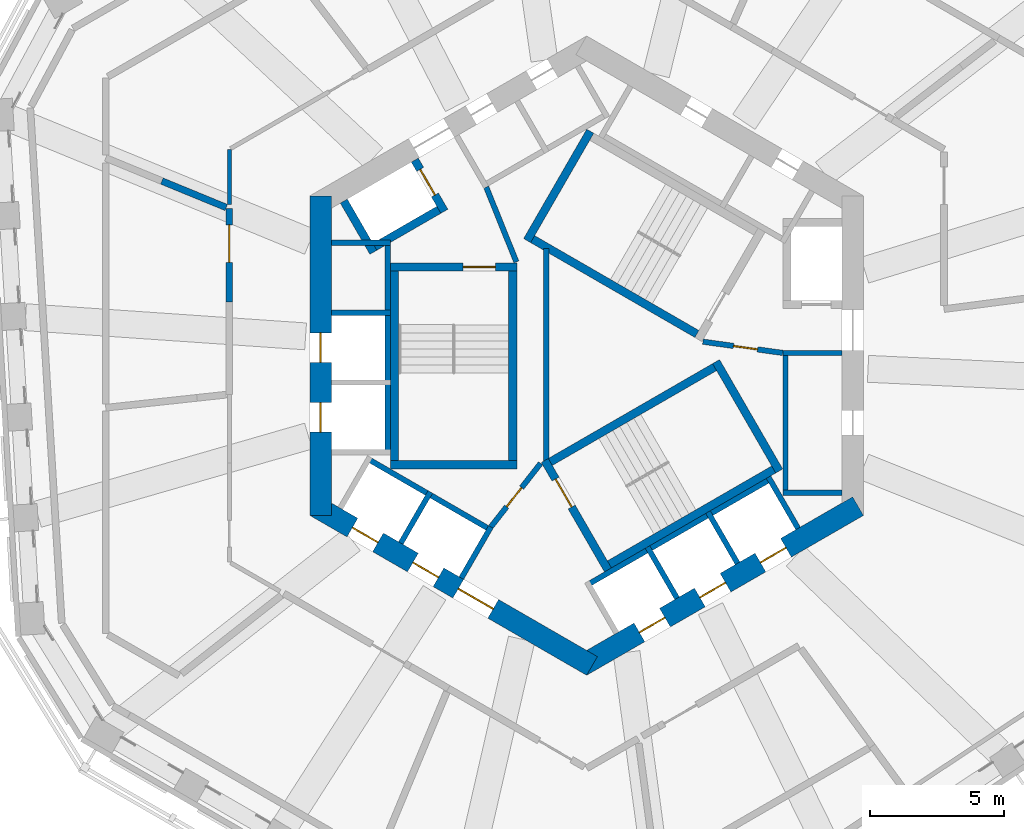
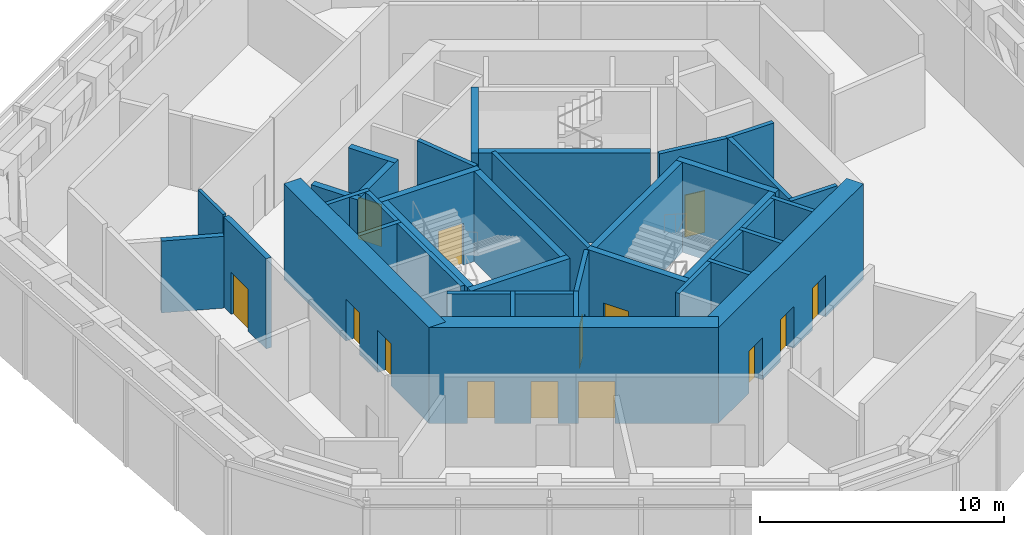
# One storey, part 6 of 15: 36 walls, 14 doors, 14 openings.
"""IFC4 building model written with IfcOpenShell, lengths in metres."""

from ifc_helpers import new_model, si_unit, direction, frame, frame_2d, origin, place, context, subcontext, project, spatial, rectangle, extrude, material, layer, layer_set, type_object, element, fill, save


model = new_model("IFC4")

# Units and contexts
model_context = context("Model", 3, precision=1e-05, world=origin(), true_north=direction((0.0, 1.0)))
body_context = subcontext(model_context, "Body", "Model", "MODEL_VIEW")
ifc_project = project(units=[si_unit("LENGTHUNIT", "METRE"), si_unit("AREAUNIT", "SQUARE_METRE"), si_unit("VOLUMEUNIT", "CUBIC_METRE"), si_unit("PLANEANGLEUNIT", "RADIAN"), si_unit("MASSUNIT", "GRAM", prefix="KILO")], contexts=[model_context])

# Site, building, storey
site_placement = place(None, origin())
site = spatial("IfcSite", under=ifc_project, at=site_placement, CompositionType="ELEMENT")
building_placement = place(site_placement, origin())
building = spatial("IfcBuilding", under=site, at=building_placement, Name="Vanh Sen Convention Tower", CompositionType="ELEMENT")
storey_placement = place(building_placement, frame((0.0, 0.0, 205.800048828125)))
storey = spatial("IfcBuildingStorey", under=building, at=storey_placement, Name="L51", CompositionType="ELEMENT", Elevation=205.800048828125)

# Wall, opening, door
ifc_material_1 = material(Name="Concrete C40/50", Category="concrete")
ifc_layer_1 = layer(ifc_material_1, 0.25)
ifc_layer_set_1 = layer_set([ifc_layer_1], Name="Concrete C40/50")
wall_type_1 = type_object("IfcWallType", Name="Concrete wall 250 EI 180", PredefinedType="SOLIDWALL", material=ifc_layer_set_1)
wall_1_placement = place(storey_placement, frame((-13.300048828125, 2.0, 0.0), z_axis=(0.0, 0.0, 1.0), x_axis=(0.0, 1.0, 0.0)))
wall_1 = element("IfcWall", 1, at=wall_1_placement, inside=storey, type_object=wall_type_1, Name="Fire-resisting wall L51-035", PredefinedType="SOLIDWALL", context=body_context, shape_type="SweptSolid", body=[
    extrude(rectangle(XDim=3.467529296875, YDim=0.25, at=frame_2d((1.73388671875, 0.0))), origin(), (0.0, 0.0, 1.0), 4.52001953125),
])
opening_1_placement = place(wall_1_placement, frame((1.467529296875, 0.0, 0.0)))
opening_1 = element("IfcOpeningElement", 2, at=opening_1_placement, cuts=wall_1, Name="Opening D51105", PredefinedType="OPENING", context=body_context, shape_type="SweptSolid", body=[
    extrude(rectangle(XDim=1.39990234375, YDim=2.10009765625, at=frame_2d((0.699951171875, 1.050048828125))), frame((0.0, 0.135009765625, 0.0), z_axis=(0.0, -1.0, 0.0), x_axis=(1.0, 0.0, 0.0)), (0.0, 0.0, 1.0), 0.27001953125),
])
ifc_material_2 = material(Name="Steel S355", Category="steel")
door_type_1 = type_object("IfcDoorType", Name="Service door 1400 EI 60", OperationType="SINGLE_SWING_LEFT", PredefinedType="DOOR", material=ifc_material_2)
door_1_placement = place(opening_1_placement, origin())
door_1 = element("IfcDoor", 3, at=door_1_placement, inside=storey, type_object=door_type_1, Name="Service door D51105", OperationType="SINGLE_SWING_LEFT", OverallHeight=2.10009765625, OverallWidth=1.39990234375, PredefinedType="DOOR", context=body_context, shape_type="SweptSolid", body=[
    extrude(rectangle(XDim=1.39990234375, YDim=2.10009765625, at=frame_2d((0.699951171875, 1.050048828125))), frame((0.0, 0.02490234375, 0.0), z_axis=(0.0, -1.0, 0.0), x_axis=(1.0, 0.0, 0.0)), (0.0, 0.0, 1.0), 0.050048828125),
])
fill(opening_1, door_1)

# Wall
wall_2_placement = place(storey_placement, frame((-15.80908203125, 6.49853515625, 0.0), z_axis=(0.0, 0.0, 1.0), x_axis=(0.924968398932, -0.380044025052, 0.0)))
element("IfcWall", 4, at=wall_2_placement, inside=storey, type_object=wall_type_1, Name="Fire-resisting wall L51-039", PredefinedType="SOLIDWALL", context=body_context, shape_type="SweptSolid", body=[
    extrude(rectangle(XDim=2.5927734375, YDim=0.25, at=frame_2d((1.29638671875, 0.0))), origin(), (0.0, 0.0, 1.0), 3.599853515625),
])

# Wall, openings, doors
ifc_material_3 = material(Name="Concrete C60/75", Category="concrete")
ifc_layer_2 = layer(ifc_material_3, 0.800048828125)
ifc_layer_set_2 = layer_set([ifc_layer_2], Name="Concrete C60/75")
wall_type_2 = type_object("IfcWallType", Name="Core outer wall 800 C60/75", PredefinedType="SHEAR", material=ifc_layer_set_2)
wall_3_placement = place(storey_placement, frame((-9.89990234375, 5.94677734375, 0.0), z_axis=(0.0, 0.0, 1.0), x_axis=(0.0, -1.0, 0.0)))
wall_3 = element("IfcWall", 5, at=wall_3_placement, inside=storey, type_object=wall_type_2, Name="Core wall face W L51", PredefinedType="SHEAR", context=body_context, shape_type="SweptSolid", body=[
    extrude(rectangle(XDim=11.8935546875, YDim=0.800048828125, at=frame_2d((5.94677734375, 0.0))), origin(), (0.0, 0.0, 1.0), 4.800048828125),
])
opening_2_placement = place(wall_3_placement, frame((5.0966796875, 0.0, 0.0)))
opening_2 = element("IfcOpeningElement", 6, at=opening_2_placement, cuts=wall_3, Name="Opening LD-HR1", PredefinedType="OPENING", context=body_context, shape_type="SweptSolid", body=[
    extrude(rectangle(XDim=1.10009765625, YDim=2.10009765625, at=frame_2d((0.550048828125, 1.050048828125))), frame((0.0, 0.409912109375, 0.0), z_axis=(0.0, -1.0, 0.0), x_axis=(1.0, 0.0, 0.0)), (0.0, 0.0, 1.0), 0.820068359375),
])
opening_3_placement = place(wall_3_placement, frame((7.69677734375, 0.0, 0.0)))
opening_3 = element("IfcOpeningElement", 7, at=opening_3_placement, cuts=wall_3, Name="Opening LD-HR2", PredefinedType="OPENING", context=body_context, shape_type="SweptSolid", body=[
    extrude(rectangle(XDim=1.10009765625, YDim=2.10009765625, at=frame_2d((0.550048828125, 1.050048828125))), frame((0.0, 0.409912109375, 0.0), z_axis=(0.0, -1.0, 0.0), x_axis=(1.0, 0.0, 0.0)), (0.0, 0.0, 1.0), 0.820068359375),
])
ifc_material_4 = material(Name="Stainless steel", Category="steel")
door_type_2 = type_object("IfcDoorType", Name="Lift landing door 1100", OperationType="DOUBLE_DOOR_SLIDING", PredefinedType="DOOR", material=ifc_material_4)
door_2_placement = place(opening_2_placement, origin())
door_2 = element("IfcDoor", 8, at=door_2_placement, inside=storey, type_object=door_type_2, Name="Lift HR1 landing door LD-HR1", OperationType="DOUBLE_DOOR_SLIDING", OverallHeight=2.10009765625, OverallWidth=1.10009765625, PredefinedType="DOOR", context=body_context, shape_type="SweptSolid", body=[
    extrude(rectangle(XDim=1.10009765625, YDim=2.10009765625, at=frame_2d((0.550048828125, 1.050048828125))), frame((0.0, 0.02490234375, 0.0), z_axis=(0.0, -1.0, 0.0), x_axis=(1.0, 0.0, 0.0)), (0.0, 0.0, 1.0), 0.050048828125),
])
fill(opening_2, door_2)
door_3_placement = place(opening_3_placement, origin())
door_3 = element("IfcDoor", 9, at=door_3_placement, inside=storey, type_object=door_type_2, Name="Lift HR2 landing door LD-HR2", OperationType="DOUBLE_DOOR_SLIDING", OverallHeight=2.10009765625, OverallWidth=1.10009765625, PredefinedType="DOOR", context=body_context, shape_type="SweptSolid", body=[
    extrude(rectangle(XDim=1.10009765625, YDim=2.10009765625, at=frame_2d((0.550048828125, 1.050048828125))), frame((0.0, 0.02490234375, 0.0), z_axis=(0.0, -1.0, 0.0), x_axis=(1.0, 0.0, 0.0)), (0.0, 0.0, 1.0), 0.050048828125),
])
fill(opening_3, door_3)

wall_4_placement = place(storey_placement, frame((-10.10009765625, -5.600341796875, 0.0), z_axis=(0.0, 0.0, 1.0), x_axis=(0.866023897231, -0.500002609418, 0.0)))
wall_4 = element("IfcWall", 10, at=wall_4_placement, inside=storey, type_object=wall_type_2, Name="Core wall face SW L51", PredefinedType="SHEAR", context=body_context, shape_type="SweptSolid", body=[
    extrude(rectangle(XDim=11.8935546875, YDim=0.800048828125, at=frame_2d((5.94677734375, 0.0))), origin(), (0.0, 0.0, 1.0), 4.800048828125),
])
opening_4_placement = place(wall_4_placement, frame((6.146728515625, 0.0, 0.0)))
opening_4 = element("IfcOpeningElement", 11, at=opening_4_placement, cuts=wall_4, Name="Opening D51003", PredefinedType="OPENING", context=body_context, shape_type="SweptSolid", body=[
    extrude(rectangle(XDim=1.5, YDim=2.10009765625, at=frame_2d((0.75, 1.050048828125))), frame((0.0, 0.409912109375, 0.0), z_axis=(0.0, -1.0, 0.0), x_axis=(1.0, 0.0, 0.0)), (0.0, 0.0, 1.0), 0.820068359375),
])
opening_5_placement = place(wall_4_placement, frame((1.5966796875, 0.0, 0.0)))
opening_5 = element("IfcOpeningElement", 12, at=opening_5_placement, cuts=wall_4, Name="Opening LD-HR3", PredefinedType="OPENING", context=body_context, shape_type="SweptSolid", body=[
    extrude(rectangle(XDim=1.10009765625, YDim=2.10009765625, at=frame_2d((0.550048828125, 1.050048828125))), frame((0.0, 0.409912109375, 0.0), z_axis=(0.0, -1.0, 0.0), x_axis=(1.0, 0.0, 0.0)), (0.0, 0.0, 1.0), 0.820068359375),
])
opening_6_placement = place(wall_4_placement, frame((4.19677734375, 0.0, 0.0)))
opening_6 = element("IfcOpeningElement", 13, at=opening_6_placement, cuts=wall_4, Name="Opening LD-HR4", PredefinedType="OPENING", context=body_context, shape_type="SweptSolid", body=[
    extrude(rectangle(XDim=1.10009765625, YDim=2.10009765625, at=frame_2d((0.550048828125, 1.050048828125))), frame((0.0, 0.409912109375, 0.0), z_axis=(0.0, -1.0, 0.0), x_axis=(1.0, 0.0, 0.0)), (0.0, 0.0, 1.0), 0.820068359375),
])
door_4_placement = place(opening_5_placement, origin())
door_4 = element("IfcDoor", 14, at=door_4_placement, inside=storey, type_object=door_type_2, Name="Lift HR3 landing door LD-HR3", OperationType="DOUBLE_DOOR_SLIDING", OverallHeight=2.10009765625, OverallWidth=1.10009765625, PredefinedType="DOOR", context=body_context, shape_type="SweptSolid", body=[
    extrude(rectangle(XDim=1.10009765625, YDim=2.10009765625, at=frame_2d((0.550048828125, 1.050048828125))), frame((0.0, 0.02490234375, 0.0), z_axis=(0.0, -1.0, 0.0), x_axis=(1.0, 0.0, 0.0)), (0.0, 0.0, 1.0), 0.050048828125),
])
fill(opening_5, door_4)
door_5_placement = place(opening_6_placement, origin())
door_5 = element("IfcDoor", 15, at=door_5_placement, inside=storey, type_object=door_type_2, Name="Lift HR4 landing door LD-HR4", OperationType="DOUBLE_DOOR_SLIDING", OverallHeight=2.10009765625, OverallWidth=1.10009765625, PredefinedType="DOOR", context=body_context, shape_type="SweptSolid", body=[
    extrude(rectangle(XDim=1.10009765625, YDim=2.10009765625, at=frame_2d((0.550048828125, 1.050048828125))), frame((0.0, 0.02490234375, 0.0), z_axis=(0.0, -1.0, 0.0), x_axis=(1.0, 0.0, 0.0)), (0.0, 0.0, 1.0), 0.050048828125),
])
fill(opening_6, door_5)
ifc_material_5 = material(Name="Steel S355", Category="steel")
door_type_3 = type_object("IfcDoorType", Name="Stair lobby door 1500", OperationType="DOUBLE_DOOR_SINGLE_SWING", PredefinedType="DOOR", material=ifc_material_5)
door_6_placement = place(opening_4_placement, origin())
door_6 = element("IfcDoor", 16, at=door_6_placement, inside=storey, type_object=door_type_3, Name="Stair lobby door D51003", OperationType="DOUBLE_DOOR_SINGLE_SWING", OverallHeight=2.10009765625, OverallWidth=1.5, PredefinedType="DOOR", context=body_context, shape_type="SweptSolid", body=[
    extrude(rectangle(XDim=1.5, YDim=2.10009765625, at=frame_2d((0.75, 1.050048828125))), frame((0.0, 0.02490234375, 0.0), z_axis=(0.0, -1.0, 0.0), x_axis=(1.0, 0.0, 0.0)), (0.0, 0.0, 1.0), 0.050048828125),
])
fill(opening_4, door_6)

wall_5_placement = place(storey_placement, frame((-0.199951171875, -11.547119140625, 0.0), z_axis=(0.0, 0.0, 1.0), x_axis=(0.866023897231, 0.500002609418, 0.0)))
wall_5 = element("IfcWall", 17, at=wall_5_placement, inside=storey, type_object=wall_type_2, Name="Core wall face SE L51", PredefinedType="SHEAR", context=body_context, shape_type="SweptSolid", body=[
    extrude(rectangle(XDim=11.8935546875, YDim=0.800048828125, at=frame_2d((5.94677734375, 0.0))), origin(), (0.0, 0.0, 1.0), 4.800048828125),
])
opening_7_placement = place(wall_5_placement, frame((2.49658203125, 0.0, 0.0)))
opening_7 = element("IfcOpeningElement", 18, at=opening_7_placement, cuts=wall_5, Name="Opening LD-HR5", PredefinedType="OPENING", context=body_context, shape_type="SweptSolid", body=[
    extrude(rectangle(XDim=1.10009765625, YDim=2.10009765625, at=frame_2d((0.550048828125, 1.050048828125))), frame((0.0, 0.409912109375, 0.0), z_axis=(0.0, -1.0, 0.0), x_axis=(1.0, 0.0, 0.0)), (0.0, 0.0, 1.0), 0.820068359375),
])
opening_8_placement = place(wall_5_placement, frame((5.0966796875, 0.0, 0.0)))
opening_8 = element("IfcOpeningElement", 19, at=opening_8_placement, cuts=wall_5, Name="Opening LD-HR6", PredefinedType="OPENING", context=body_context, shape_type="SweptSolid", body=[
    extrude(rectangle(XDim=1.10009765625, YDim=2.10009765625, at=frame_2d((0.550048828125, 1.050048828125))), frame((0.0, 0.409912109375, 0.0), z_axis=(0.0, -1.0, 0.0), x_axis=(1.0, 0.0, 0.0)), (0.0, 0.0, 1.0), 0.820068359375),
])
opening_9_placement = place(wall_5_placement, frame((7.69677734375, 0.0, 0.0)))
opening_9 = element("IfcOpeningElement", 20, at=opening_9_placement, cuts=wall_5, Name="Opening LD-SV1", PredefinedType="OPENING", context=body_context, shape_type="SweptSolid", body=[
    extrude(rectangle(XDim=1.10009765625, YDim=2.10009765625, at=frame_2d((0.550048828125, 1.050048828125))), frame((0.0, 0.409912109375, 0.0), z_axis=(0.0, -1.0, 0.0), x_axis=(1.0, 0.0, 0.0)), (0.0, 0.0, 1.0), 0.820068359375),
])
door_7_placement = place(opening_7_placement, origin())
door_7 = element("IfcDoor", 21, at=door_7_placement, inside=storey, type_object=door_type_2, Name="Lift HR5 landing door LD-HR5", OperationType="DOUBLE_DOOR_SLIDING", OverallHeight=2.10009765625, OverallWidth=1.10009765625, PredefinedType="DOOR", context=body_context, shape_type="SweptSolid", body=[
    extrude(rectangle(XDim=1.10009765625, YDim=2.10009765625, at=frame_2d((0.550048828125, 1.050048828125))), frame((0.0, 0.02490234375, 0.0), z_axis=(0.0, -1.0, 0.0), x_axis=(1.0, 0.0, 0.0)), (0.0, 0.0, 1.0), 0.050048828125),
])
fill(opening_7, door_7)
door_8_placement = place(opening_8_placement, origin())
door_8 = element("IfcDoor", 22, at=door_8_placement, inside=storey, type_object=door_type_2, Name="Lift HR6 landing door LD-HR6", OperationType="DOUBLE_DOOR_SLIDING", OverallHeight=2.10009765625, OverallWidth=1.10009765625, PredefinedType="DOOR", context=body_context, shape_type="SweptSolid", body=[
    extrude(rectangle(XDim=1.10009765625, YDim=2.10009765625, at=frame_2d((0.550048828125, 1.050048828125))), frame((0.0, 0.02490234375, 0.0), z_axis=(0.0, -1.0, 0.0), x_axis=(1.0, 0.0, 0.0)), (0.0, 0.0, 1.0), 0.050048828125),
])
fill(opening_8, door_8)
door_9_placement = place(opening_9_placement, origin())
door_9 = element("IfcDoor", 23, at=door_9_placement, inside=storey, type_object=door_type_2, Name="Lift SV1 landing door LD-SV1", OperationType="DOUBLE_DOOR_SLIDING", OverallHeight=2.10009765625, OverallWidth=1.10009765625, PredefinedType="DOOR", context=body_context, shape_type="SweptSolid", body=[
    extrude(rectangle(XDim=1.10009765625, YDim=2.10009765625, at=frame_2d((0.550048828125, 1.050048828125))), frame((0.0, 0.02490234375, 0.0), z_axis=(0.0, -1.0, 0.0), x_axis=(1.0, 0.0, 0.0)), (0.0, 0.0, 1.0), 0.050048828125),
])
fill(opening_9, door_9)

# Wall
ifc_material_6 = material(Name="Masonry blockwork", Category="masonry")
ifc_layer_3 = layer(ifc_material_6, 0.199951171875)
ifc_layer_set_3 = layer_set([ifc_layer_3], Name="Masonry blockwork")
wall_type_3 = type_object("IfcWallType", Name="Core partition 200", PredefinedType="PARTITIONING", material=ifc_layer_set_3)
wall_6_placement = place(storey_placement, frame((-1.5, -3.98828125, 0.0), z_axis=(0.0, 0.0, 1.0), x_axis=(0.0, 1.0, 0.0)))
element("IfcWall", 24, at=wall_6_placement, inside=storey, type_object=wall_type_3, Name="Core partition L51", PredefinedType="PARTITIONING", context=body_context, shape_type="SweptSolid", body=[
    extrude(rectangle(XDim=7.9765625, YDim=0.199951171875, at=frame_2d((3.98828125, 0.0))), origin(), (0.0, 0.0, 1.0), 4.52001953125),
])

# Wall, opening, door
ifc_layer_4 = layer(ifc_material_3, 0.300048828125)
ifc_layer_set_4 = layer_set([ifc_layer_4], Name="Concrete C60/75")
wall_type_4 = type_object("IfcWallType", Name="Fire-fighting lift shaft wall 300", PredefinedType="SHEAR", material=ifc_layer_set_4)
wall_7_placement = place(storey_placement, frame((-5.29541015625, 5.3720703125, 0.0), z_axis=(0.0, 0.0, 1.0), x_axis=(-0.500077893725, 0.86598042715, 0.0)))
wall_7 = element("IfcWall", 25, at=wall_7_placement, inside=storey, type_object=wall_type_4, Name="Fire-fighting lift shaft wall L51", PredefinedType="SHEAR", context=body_context, shape_type="SweptSolid", body=[
    extrude(rectangle(XDim=2.199951171875, YDim=0.300048828125, at=frame_2d((1.10009765625, 0.0))), origin(), (0.0, 0.0, 1.0), 4.52001953125),
])
opening_10_placement = place(wall_7_placement, frame((0.699951171875, 0.0, 0.0)))
opening_10 = element("IfcOpeningElement", 26, at=opening_10_placement, cuts=wall_7, Name="Opening LD-FF2", PredefinedType="OPENING", context=body_context, shape_type="SweptSolid", body=[
    extrude(rectangle(XDim=1.10009765625, YDim=2.10009765625, at=frame_2d((0.550048828125, 1.050048828125))), frame((0.0, 0.159912109375, 0.0), z_axis=(0.0, -1.0, 0.0), x_axis=(1.0, 0.0, 0.0)), (0.0, 0.0, 1.0), 0.320068359375),
])
door_type_4 = type_object("IfcDoorType", Name="Fire-fighting lift landing door 1100", OperationType="DOUBLE_DOOR_SLIDING", PredefinedType="DOOR", material=ifc_material_4)
door_10_placement = place(opening_10_placement, origin())
door_10 = element("IfcDoor", 27, at=door_10_placement, inside=storey, type_object=door_type_4, Name="Lift FF2 landing door LD-FF2", OperationType="DOUBLE_DOOR_SLIDING", OverallHeight=2.10009765625, OverallWidth=1.10009765625, PredefinedType="DOOR", context=body_context, shape_type="SweptSolid", body=[
    extrude(rectangle(XDim=1.10009765625, YDim=2.10009765625, at=frame_2d((0.550048828125, 1.050048828125))), frame((0.0, 0.02490234375, 0.0), z_axis=(0.0, -1.0, 0.0), x_axis=(1.0, 0.0, 0.0)), (0.0, 0.0, 1.0), 0.050048828125),
])
fill(opening_10, door_10)

# Walls
wall_8_placement = place(storey_placement, frame((-5.240478515625, 5.576904296875, 0.0), z_axis=(0.0, 0.0, 1.0), x_axis=(-0.866014461049, -0.500018952895, 0.0)))
element("IfcWall", 28, at=wall_8_placement, inside=storey, type_object=wall_type_4, Name="Fire-fighting lift shaft wall L51", PredefinedType="SHEAR", context=body_context, shape_type="SweptSolid", body=[
    extrude(rectangle(XDim=3.349853515625, YDim=0.300048828125, at=frame_2d((1.6748046875, 0.0))), origin(), (0.0, 0.0, 1.0), 4.52001953125),
])
wall_9_placement = place(storey_placement, frame((-7.936767578125, 3.846923828125, 0.0), z_axis=(0.0, 0.0, 1.0), x_axis=(-0.50002983664, 0.866008176907, 0.0)))
element("IfcWall", 29, at=wall_9_placement, inside=storey, type_object=wall_type_4, Name="Fire-fighting lift shaft wall L51", PredefinedType="SHEAR", context=body_context, shape_type="SweptSolid", body=[
    extrude(rectangle(XDim=2.199951171875, YDim=0.300048828125, at=frame_2d((1.10009765625, 0.0))), origin(), (0.0, 0.0, 1.0), 4.52001953125),
])
ifc_layer_5 = layer(ifc_material_1, 0.199951171875)
ifc_layer_set_5 = layer_set([ifc_layer_5], Name="Concrete C40/50")
wall_type_5 = type_object("IfcWallType", Name="Lift shaft wall 200", PredefinedType="PARTITIONING", material=ifc_layer_set_5)
wall_10_placement = place(storey_placement, frame((7.39990234375, -5.199951171875, 0.0), z_axis=(0.0, 0.0, 1.0), x_axis=(0.0, 1.0, 0.0)))
element("IfcWall", 30, at=wall_10_placement, inside=storey, type_object=wall_type_5, Name="Lift shaft wall L51", PredefinedType="PARTITIONING", context=body_context, shape_type="SweptSolid", body=[
    extrude(rectangle(XDim=5.39990234375, YDim=0.199951171875, at=frame_2d((2.699951171875, 0.0))), origin(), (0.0, 0.0, 1.0), 4.52001953125),
])
for number, where, z_axis, x_axis, name in (
    (31, (7.300048828125, -5.10009765625, 0.0), (0.0, 0.0, 1.0), (1.0, 0.0, 0.0), "Lift shaft wall L51"),
    (32, (7.300048828125, 0.10009765625, 0.0), (0.0, 0.0, 1.0), (1.0, 0.0, 0.0), "Lift shaft wall L51"),
):
    element("IfcWall", number, at=place(storey_placement, frame(where, z_axis=z_axis, x_axis=x_axis)), inside=storey, type_object=wall_type_5, Name=name, PredefinedType="PARTITIONING", context=body_context, shape_type="SweptSolid", body=[
        extrude(rectangle(XDim=2.199951171875, YDim=0.199951171875, at=frame_2d((1.10009765625, 0.0))), origin(), (0.0, 0.0, 1.0), 4.52001953125),
    ])
wall_11_placement = place(storey_placement, frame((-7.39990234375, 4.300048828125, 0.0), z_axis=(0.0, 0.0, 1.0), x_axis=(0.0, -1.0, 0.0)))
element("IfcWall", 33, at=wall_11_placement, inside=storey, type_object=wall_type_5, Name="Lift shaft wall L51", PredefinedType="PARTITIONING", context=body_context, shape_type="SweptSolid", body=[
    extrude(rectangle(XDim=8.0, YDim=0.199951171875, at=frame_2d((4.0, 0.0))), origin(), (0.0, 0.0, 1.0), 4.52001953125),
])
for number, where, z_axis, x_axis, name in (
    (34, (-7.300048828125, 4.199951171875, 0.0), (0.0, 0.0, 1.0), (-1.0, 0.0, 0.0), "Lift shaft wall L51"),
    (35, (-7.300048828125, 1.60009765625, 0.0), (0.0, 0.0, 1.0), (-1.0, 0.0, 0.0), "Lift shaft wall L51"),
):
    element("IfcWall", number, at=place(storey_placement, frame(where, z_axis=z_axis, x_axis=x_axis)), inside=storey, type_object=wall_type_5, Name=name, PredefinedType="PARTITIONING", context=body_context, shape_type="SweptSolid", body=[
        extrude(rectangle(XDim=2.199951171875, YDim=0.199951171875, at=frame_2d((1.10009765625, 0.0))), origin(), (0.0, 0.0, 1.0), 4.52001953125),
    ])
wall_12_placement = place(storey_placement, frame((-8.203369140625, -3.80859375, 0.0), z_axis=(0.0, 0.0, 1.0), x_axis=(0.866028230842, -0.499995103361, 0.0)))
element("IfcWall", 36, at=wall_12_placement, inside=storey, type_object=wall_type_5, Name="Lift shaft wall L51", PredefinedType="PARTITIONING", context=body_context, shape_type="SweptSolid", body=[
    extrude(rectangle(XDim=5.39990234375, YDim=0.199951171875, at=frame_2d((2.699951171875, 0.0))), origin(), (0.0, 0.0, 1.0), 4.52001953125),
])
wall_13_placement = place(storey_placement, frame((-5.815185546875, -5.072021484375, 0.0), z_axis=(0.0, 0.0, 1.0), x_axis=(-0.499946605688, -0.86605622881, 0.0)))
element("IfcWall", 37, at=wall_13_placement, inside=storey, type_object=wall_type_5, Name="Lift shaft wall L51", PredefinedType="PARTITIONING", context=body_context, shape_type="SweptSolid", body=[
    extrude(rectangle(XDim=2.199951171875, YDim=0.199951171875, at=frame_2d((1.10009765625, 0.0))), origin(), (0.0, 0.0, 1.0), 4.52001953125),
])
wall_14_placement = place(storey_placement, frame((-3.5634765625, -6.3720703125, 0.0), z_axis=(0.0, 0.0, 1.0), x_axis=(-0.499994660107, -0.866028486751, 0.0)))
element("IfcWall", 38, at=wall_14_placement, inside=storey, type_object=wall_type_5, Name="Lift shaft wall L51", PredefinedType="PARTITIONING", context=body_context, shape_type="SweptSolid", body=[
    extrude(rectangle(XDim=2.19970703125, YDim=0.199951171875, at=frame_2d((1.099853515625, 0.0))), origin(), (0.0, 0.0, 1.0), 4.52001953125),
])
wall_15_placement = place(storey_placement, frame((-0.02392578125, -8.55859375, 0.0), z_axis=(0.0, 0.0, 1.0), x_axis=(0.866026010844, 0.49999894854, 0.0)))
element("IfcWall", 39, at=wall_15_placement, inside=storey, type_object=wall_type_5, Name="Lift shaft wall L51", PredefinedType="PARTITIONING", context=body_context, shape_type="SweptSolid", body=[
    extrude(rectangle(XDim=8.0, YDim=0.199951171875, at=frame_2d((4.0, 0.0))), origin(), (0.0, 0.0, 1.0), 4.52001953125),
])
for number, where, z_axis, x_axis, name in (
    (40, (2.264404296875, -7.1220703125, 0.0), (0.0, 0.0, 1.0), (0.500077893725, -0.86598042715, 0.0), "Lift shaft wall L51"),
    (41, (4.51611328125, -5.822021484375, 0.0), (0.0, 0.0, 1.0), (0.499946605688, -0.86605622881, 0.0), "Lift shaft wall L51"),
    (42, (6.767578125, -4.52197265625, 0.0), (0.0, 0.0, 1.0), (0.50002983664, -0.866008176907, 0.0), "Lift shaft wall L51"),
):
    element("IfcWall", number, at=place(storey_placement, frame(where, z_axis=z_axis, x_axis=x_axis)), inside=storey, type_object=wall_type_5, Name=name, PredefinedType="PARTITIONING", context=body_context, shape_type="SweptSolid", body=[
        extrude(rectangle(XDim=2.199951171875, YDim=0.199951171875, at=frame_2d((1.10009765625, 0.0))), origin(), (0.0, 0.0, 1.0), 4.52001953125),
    ])
ifc_material_7 = material(Name="Gypsum board on steel studs", Category="steel")
ifc_layer_6 = layer(ifc_material_7, 0.14990234375)
ifc_layer_set_6 = layer_set([ifc_layer_6], Name="Gypsum board on steel studs")
wall_type_6 = type_object("IfcWallType", Name="Partition 150", PredefinedType="PARTITIONING", material=ifc_layer_set_6)
wall_16_placement = place(storey_placement, frame((-13.300048828125, 5.62744140625, 0.0), z_axis=(0.0, 0.0, 1.0), x_axis=(0.0, 1.0, 0.0)))
element("IfcWall", 43, at=wall_16_placement, inside=storey, type_object=wall_type_6, Name="Partition L51-038", PredefinedType="PARTITIONING", context=body_context, shape_type="SweptSolid", body=[
    extrude(rectangle(XDim=2.051513671875, YDim=0.14990234375, at=frame_2d((1.02587890625, 0.0))), origin(), (0.0, 0.0, 1.0), 4.52001953125),
])

# Wall, opening, door
ifc_layer_7 = layer(ifc_material_1, 0.199951171875)
ifc_layer_set_7 = layer_set([ifc_layer_7], Name="Concrete C40/50")
wall_type_7 = type_object("IfcWallType", Name="Stair lobby wall 200", PredefinedType="PARTITIONING", material=ifc_layer_set_7)
wall_17_placement = place(storey_placement, frame((4.327392578125, 0.52099609375, 0.0), z_axis=(0.0, 0.0, 1.0), x_axis=(0.990124376366, -0.14019172346, 0.0)))
wall_17 = element("IfcWall", 44, at=wall_17_placement, inside=storey, type_object=wall_type_7, Name="Stair lobby wall L51", PredefinedType="PARTITIONING", context=body_context, shape_type="SweptSolid", body=[
    extrude(rectangle(XDim=3.002197265625, YDim=0.199951171875, at=frame_2d((1.5009765625, 0.0))), origin(), (0.0, 0.0, 1.0), 4.52001953125),
])
opening_11_placement = place(wall_17_placement, frame((1.14990234375, 0.0, 0.0)))
opening_11 = element("IfcOpeningElement", 45, at=opening_11_placement, cuts=wall_17, Name="Opening D51007", PredefinedType="OPENING", context=body_context, shape_type="SweptSolid", body=[
    extrude(rectangle(XDim=0.89990234375, YDim=2.10009765625, at=frame_2d((0.449951171875, 1.050048828125))), frame((0.0, 0.10986328125, 0.0), z_axis=(0.0, -1.0, 0.0), x_axis=(1.0, 0.0, 0.0)), (0.0, 0.0, 1.0), 0.219970703125),
])
door_type_5 = type_object("IfcDoorType", Name="Plant door 900", OperationType="SINGLE_SWING_LEFT", PredefinedType="DOOR", material=ifc_material_5)
door_11_placement = place(opening_11_placement, origin())
door_11 = element("IfcDoor", 46, at=door_11_placement, inside=storey, type_object=door_type_5, Name="Plant door D51007", OperationType="SINGLE_SWING_LEFT", OverallHeight=2.10009765625, OverallWidth=0.89990234375, PredefinedType="DOOR", context=body_context, shape_type="SweptSolid", body=[
    extrude(rectangle(XDim=0.89990234375, YDim=2.10009765625, at=frame_2d((0.449951171875, 1.050048828125))), frame((0.0, 0.02490234375, 0.0), z_axis=(0.0, -1.0, 0.0), x_axis=(1.0, 0.0, 0.0)), (0.0, 0.0, 1.0), 0.050048828125),
])
fill(opening_11, door_11)

# Wall
wall_18_placement = place(storey_placement, frame((-2.614990234375, 3.487060546875, 0.0), z_axis=(0.0, 0.0, 1.0), x_axis=(-0.373576831041, 0.92759924068, 0.0)))
element("IfcWall", 47, at=wall_18_placement, inside=storey, type_object=wall_type_7, Name="Stair lobby wall L51", PredefinedType="PARTITIONING", context=body_context, shape_type="SweptSolid", body=[
    extrude(rectangle(XDim=3.002197265625, YDim=0.199951171875, at=frame_2d((1.5009765625, 0.0))), origin(), (0.0, 0.0, 1.0), 4.52001953125),
])

# Wall, opening, door
wall_19_placement = place(storey_placement, frame((-1.71240234375, -4.00830078125, 0.0), z_axis=(0.0, 0.0, 1.0), x_axis=(-0.616549420702, -0.787316208287, 0.0)))
wall_19 = element("IfcWall", 48, at=wall_19_placement, inside=storey, type_object=wall_type_7, Name="Stair lobby wall L51", PredefinedType="PARTITIONING", context=body_context, shape_type="SweptSolid", body=[
    extrude(rectangle(XDim=3.002197265625, YDim=0.199951171875, at=frame_2d((1.5009765625, 0.0))), origin(), (0.0, 0.0, 1.0), 4.52001953125),
])
opening_12_placement = place(wall_19_placement, frame((1.14990234375, 0.0, 0.0)))
opening_12 = element("IfcOpeningElement", 49, at=opening_12_placement, cuts=wall_19, Name="Opening D51008", PredefinedType="OPENING", context=body_context, shape_type="SweptSolid", body=[
    extrude(rectangle(XDim=0.89990234375, YDim=2.10009765625, at=frame_2d((0.449951171875, 1.050048828125))), frame((0.0, 0.10986328125, 0.0), z_axis=(0.0, -1.0, 0.0), x_axis=(1.0, 0.0, 0.0)), (0.0, 0.0, 1.0), 0.219970703125),
])
door_12_placement = place(opening_12_placement, origin())
door_12 = element("IfcDoor", 50, at=door_12_placement, inside=storey, type_object=door_type_5, Name="Plant door D51008", OperationType="SINGLE_SWING_LEFT", OverallHeight=2.10009765625, OverallWidth=0.89990234375, PredefinedType="DOOR", context=body_context, shape_type="SweptSolid", body=[
    extrude(rectangle(XDim=0.89990234375, YDim=2.10009765625, at=frame_2d((0.449951171875, 1.050048828125))), frame((0.0, 0.02490234375, 0.0), z_axis=(0.0, -1.0, 0.0), x_axis=(1.0, 0.0, 0.0)), (0.0, 0.0, 1.0), 0.050048828125),
])
fill(opening_12, door_12)

# Walls
ifc_layer_8 = layer(ifc_material_3, 0.300048828125)
ifc_layer_set_8 = layer_set([ifc_layer_8], Name="Concrete C60/75")
wall_type_8 = type_object("IfcWallType", Name="Stair wall 300", PredefinedType="SHEAR", material=ifc_layer_set_8)
wall_20_placement = place(storey_placement, frame((-2.216064453125, 4.28173828125, 0.0), z_axis=(0.0, 0.0, 1.0), x_axis=(0.499977259774, 0.866038532462, 0.0)))
element("IfcWall", 51, at=wall_20_placement, inside=storey, type_object=wall_type_8, Name="Stair wall L51", PredefinedType="SHEAR", context=body_context, shape_type="SweptSolid", body=[
    extrude(rectangle(XDim=4.699951171875, YDim=0.300048828125, at=frame_2d((2.35009765625, 0.0))), origin(), (0.0, 0.0, 1.0), 4.52001953125),
])
wall_21_placement = place(storey_placement, frame((4.10302734375, 0.806640625, 0.0), z_axis=(0.0, 0.0, 1.0), x_axis=(-0.866027801685, 0.499995846692, 0.0)))
element("IfcWall", 52, at=wall_21_placement, inside=storey, type_object=wall_type_8, Name="Stair wall L51", PredefinedType="SHEAR", context=body_context, shape_type="SweptSolid", body=[
    extrude(rectangle(XDim=7.06005859375, YDim=0.300048828125, at=frame_2d((3.530029296875, 0.0))), origin(), (0.0, 0.0, 1.0), 4.52001953125),
])

# Wall, opening, door
wall_22_placement = place(storey_placement, frame((-2.60009765625, 3.300048828125, 0.0), z_axis=(0.0, 0.0, 1.0), x_axis=(-1.0, 0.0, 0.0)))
wall_22 = element("IfcWall", 53, at=wall_22_placement, inside=storey, type_object=wall_type_8, Name="Stair wall L51", PredefinedType="SHEAR", context=body_context, shape_type="SweptSolid", body=[
    extrude(rectangle(XDim=4.699951171875, YDim=0.300048828125, at=frame_2d((2.35009765625, 0.0))), origin(), (0.0, 0.0, 1.0), 4.52001953125),
])
opening_13_placement = place(wall_22_placement, frame((0.800048828125, 0.0, 0.0)))
opening_13 = element("IfcOpeningElement", 54, at=opening_13_placement, cuts=wall_22, Name="Opening D51005", PredefinedType="OPENING", context=body_context, shape_type="SweptSolid", body=[
    extrude(rectangle(XDim=1.199951171875, YDim=2.10009765625, at=frame_2d((0.60009765625, 1.050048828125))), frame((0.0, 0.159912109375, 0.0), z_axis=(0.0, -1.0, 0.0), x_axis=(1.0, 0.0, 0.0)), (0.0, 0.0, 1.0), 0.320068359375),
])
door_type_6 = type_object("IfcDoorType", Name="Stair door 1200", OperationType="SINGLE_SWING_RIGHT", PredefinedType="DOOR", material=ifc_material_5)
door_13_placement = place(opening_13_placement, origin())
door_13 = element("IfcDoor", 55, at=door_13_placement, inside=storey, type_object=door_type_6, Name="Stair ST2 door D51005", OperationType="SINGLE_SWING_RIGHT", OverallHeight=2.10009765625, OverallWidth=1.199951171875, PredefinedType="DOOR", context=body_context, shape_type="SweptSolid", body=[
    extrude(rectangle(XDim=1.199951171875, YDim=2.10009765625, at=frame_2d((0.60009765625, 1.050048828125))), frame((0.0, 0.02490234375, 0.0), z_axis=(0.0, -1.0, 0.0), x_axis=(1.0, 0.0, 0.0)), (0.0, 0.0, 1.0), 0.050048828125),
])
fill(opening_13, door_13)

# Walls
wall_23_placement = place(storey_placement, frame((-2.60009765625, -4.06005859375, 0.0), z_axis=(0.0, 0.0, 1.0), x_axis=(-1.0, 0.0, 0.0)))
element("IfcWall", 56, at=wall_23_placement, inside=storey, type_object=wall_type_8, Name="Stair wall L51", PredefinedType="SHEAR", context=body_context, shape_type="SweptSolid", body=[
    extrude(rectangle(XDim=4.699951171875, YDim=0.300048828125, at=frame_2d((2.35009765625, 0.0))), origin(), (0.0, 0.0, 1.0), 4.52001953125),
])
for number, where, z_axis, x_axis, name in (
    (57, (-2.75, 3.14990234375, 0.0), (0.0, 0.0, 1.0), (0.0, -1.0, 0.0), "Stair wall L51"),
    (58, (-7.14990234375, 3.14990234375, 0.0), (0.0, 0.0, 1.0), (0.0, -1.0, 0.0), "Stair wall L51"),
):
    element("IfcWall", number, at=place(storey_placement, frame(where, z_axis=z_axis, x_axis=x_axis)), inside=storey, type_object=wall_type_8, Name=name, PredefinedType="SHEAR", context=body_context, shape_type="SweptSolid", body=[
        extrude(rectangle(XDim=7.059814453125, YDim=0.300048828125, at=frame_2d((3.52978515625, 0.0))), origin(), (0.0, 0.0, 1.0), 4.52001953125),
    ])

# Wall, opening, door
wall_24_placement = place(storey_placement, frame((-1.557861328125, -3.901611328125, 0.0), z_axis=(0.0, 0.0, 1.0), x_axis=(0.499977259774, -0.866038532462, 0.0)))
wall_24 = element("IfcWall", 59, at=wall_24_placement, inside=storey, type_object=wall_type_8, Name="Stair wall L51", PredefinedType="SHEAR", context=body_context, shape_type="SweptSolid", body=[
    extrude(rectangle(XDim=4.699951171875, YDim=0.300048828125, at=frame_2d((2.35009765625, 0.0))), origin(), (0.0, 0.0, 1.0), 4.52001953125),
])
opening_14_placement = place(wall_24_placement, frame((0.800048828125, 0.0, 0.0)))
opening_14 = element("IfcOpeningElement", 60, at=opening_14_placement, cuts=wall_24, Name="Opening D51006", PredefinedType="OPENING", context=body_context, shape_type="SweptSolid", body=[
    extrude(rectangle(XDim=1.199951171875, YDim=2.10009765625, at=frame_2d((0.60009765625, 1.050048828125))), frame((0.0, 0.159912109375, 0.0), z_axis=(0.0, -1.0, 0.0), x_axis=(1.0, 0.0, 0.0)), (0.0, 0.0, 1.0), 0.320068359375),
])
door_14_placement = place(opening_14_placement, origin())
door_14 = element("IfcDoor", 61, at=door_14_placement, inside=storey, type_object=door_type_6, Name="Stair ST3 door D51006", OperationType="SINGLE_SWING_RIGHT", OverallHeight=2.10009765625, OverallWidth=1.199951171875, PredefinedType="DOOR", context=body_context, shape_type="SweptSolid", body=[
    extrude(rectangle(XDim=1.199951171875, YDim=2.10009765625, at=frame_2d((0.60009765625, 1.050048828125))), frame((0.0, 0.02490234375, 0.0), z_axis=(0.0, -1.0, 0.0), x_axis=(1.0, 0.0, 0.0)), (0.0, 0.0, 1.0), 0.050048828125),
])
fill(opening_14, door_14)

# Walls
wall_25_placement = place(storey_placement, frame((4.816162109375, -0.2216796875, 0.0), z_axis=(0.0, 0.0, 1.0), x_axis=(0.499977259774, -0.866038532462, 0.0)))
element("IfcWall", 62, at=wall_25_placement, inside=storey, type_object=wall_type_8, Name="Stair wall L51", PredefinedType="SHEAR", context=body_context, shape_type="SweptSolid", body=[
    extrude(rectangle(XDim=4.699951171875, YDim=0.300048828125, at=frame_2d((2.35009765625, 0.0))), origin(), (0.0, 0.0, 1.0), 4.52001953125),
])
for number, where, z_axis, x_axis, name in (
    (63, (-1.35302734375, -3.95654296875, 0.0), (0.0, 0.0, 1.0), (0.866027801685, 0.499995846692, 0.0), "Stair wall L51"),
    (64, (0.846923828125, -7.76708984375, 0.0), (0.0, 0.0, 1.0), (0.866027801685, 0.499995846692, 0.0), "Stair wall L51"),
):
    element("IfcWall", number, at=place(storey_placement, frame(where, z_axis=z_axis, x_axis=x_axis)), inside=storey, type_object=wall_type_8, Name=name, PredefinedType="SHEAR", context=body_context, shape_type="SweptSolid", body=[
        extrude(rectangle(XDim=7.06005859375, YDim=0.300048828125, at=frame_2d((3.530029296875, 0.0))), origin(), (0.0, 0.0, 1.0), 4.52001953125),
    ])

save(model, "model.ifc")
